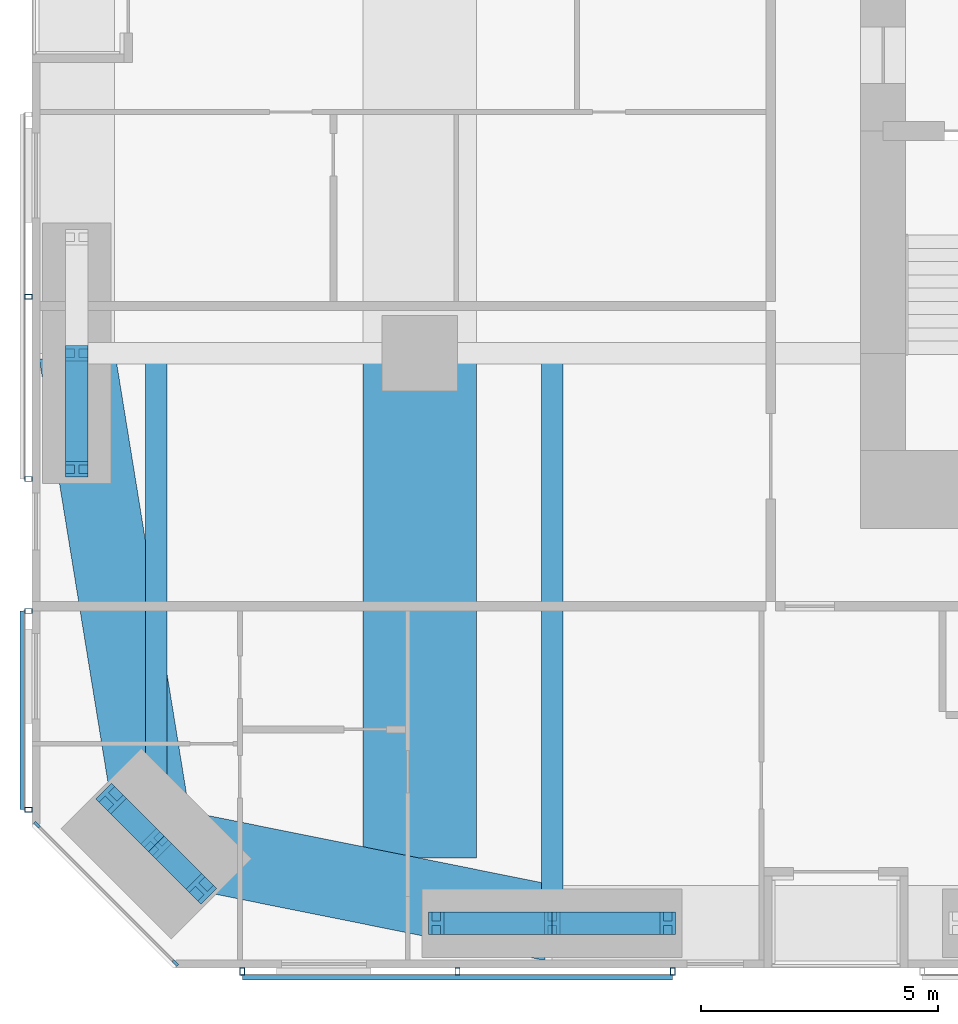
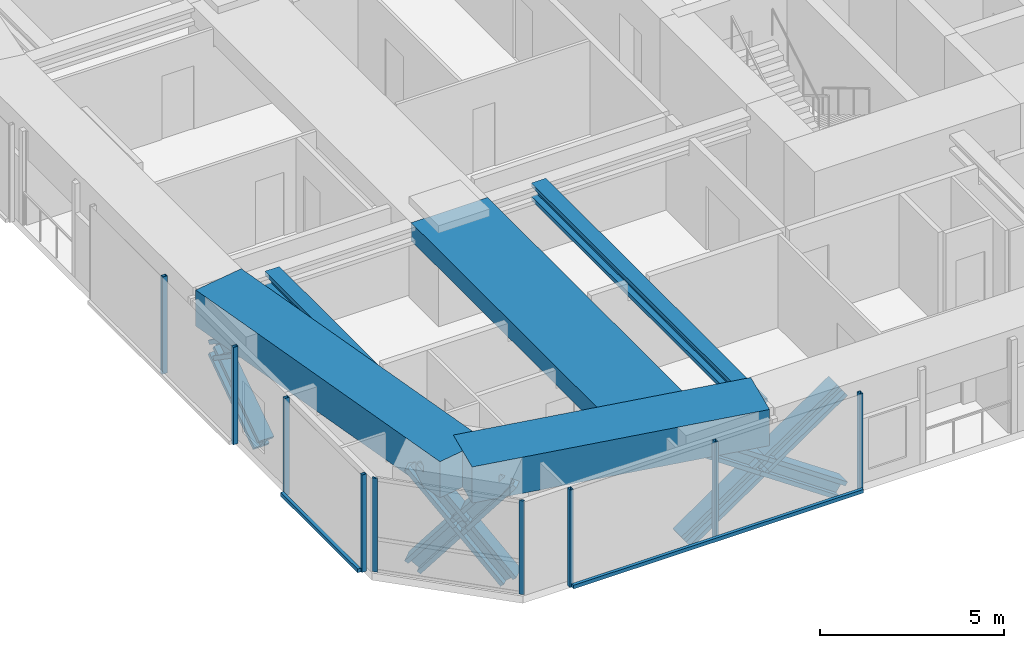
# One storey, part 2 of 22: 21 members, 5 beams, 4 elements without a shape of their own.
"""IFC4 building model written with IfcOpenShell, lengths in metres."""

from ifc_helpers import new_model, si_unit, direction, frame, origin, origin_2d, place, context, subcontext, project, spatial, rectangle, hollow_rectangle, i_section, extrude, material, material_profile, profile_set, type_object, element, aggregate, save


model = new_model("IFC4")

# Units and contexts
model_context = context("Model", 3, precision=1e-05, world=origin(), true_north=direction((0.0, 1.0)))
body_context = subcontext(model_context, "Body", "Model", "MODEL_VIEW")
ifc_project = project(units=[si_unit("LENGTHUNIT", "METRE"), si_unit("AREAUNIT", "SQUARE_METRE"), si_unit("VOLUMEUNIT", "CUBIC_METRE"), si_unit("PLANEANGLEUNIT", "RADIAN"), si_unit("MASSUNIT", "GRAM", prefix="KILO")], contexts=[model_context])

# Site, building, storey
site_placement = place(None, origin())
site = spatial("IfcSite", under=ifc_project, at=site_placement, CompositionType="ELEMENT")
building_placement = place(site_placement, origin())
building = spatial("IfcBuilding", under=site, at=building_placement, Name="Jalousie Tower", CompositionType="ELEMENT")
storey_placement = place(building_placement, frame((0.0, 0.0, 64.550048828125)))
storey = spatial("IfcBuildingStorey", under=building, at=storey_placement, Name="L17", CompositionType="ELEMENT", Elevation=64.550048828125)

# Curtain wall, members
ifc_material_1 = material(Name="Aluminium curtain wall", Category="aluminium")
curtain_wall_type_1 = type_object("IfcCurtainWallType", Name="CORNER WINDOW WALL", PredefinedType="USERDEFINED", material=ifc_material_1)
curtain_wall_1_placement = place(storey_placement, origin())
curtain_wall_1 = element("IfcCurtainWall", 1, at=curtain_wall_1_placement, inside=storey, type_object=curtain_wall_type_1, Name="Corner Window Wall L17 8", ObjectType="CORNER WINDOW WALL", PredefinedType="USERDEFINED")
ifc_material_2 = material(Name="Aluminium mullion", Category="aluminium")
ifc_material_profile_1 = material_profile(ifc_material_2, rectangle(XDim=0.06005859375, YDim=0.14990234375, at=origin_2d()), Name="MULLION 60x150")
ifc_profile_set_1 = profile_set([ifc_material_profile_1], Name="Aluminium mullion")
member_type_1 = type_object("IfcMemberType", Name="CORNER WINDOW WALL MULLION", PredefinedType="MULLION", material=ifc_profile_set_1)
member_1_placement = place(storey_placement, frame((2.108642578125, 3.030029296875, 0.0), z_axis=(0.0, 0.0, 1.0), x_axis=(0.707106781187, 0.707106781187, 0.0)))
member_1 = element("IfcMember", 2, at=member_1_placement, type_object=member_type_1, Name="CW-C mullion 1", PredefinedType="MULLION", context=body_context, shape_type="SweptSolid", body=[
    extrude(rectangle(XDim=0.06005859375, YDim=0.14990234375, at=origin_2d()), origin(), (0.0, 0.0, 1.0), 3.10986328125),
])
member_2_placement = place(storey_placement, frame((5.030029296875, 0.108642578125, 0.0), z_axis=(0.0, 0.0, 1.0), x_axis=(0.707106781187, 0.707106781187, 0.0)))
member_2 = element("IfcMember", 3, at=member_2_placement, type_object=member_type_1, Name="CW-C mullion 2", PredefinedType="MULLION", context=body_context, shape_type="SweptSolid", body=[
    extrude(rectangle(XDim=0.06005859375, YDim=0.14990234375, at=origin_2d()), origin(), (0.0, 0.0, 1.0), 3.10986328125),
])
aggregate(curtain_wall_1, [member_1, member_2])

# Beams
ifc_material_3 = material(Name="Steel ASTM A992 Grade 50", Category="steel")
ifc_material_profile_2 = material_profile(ifc_material_3, i_section(OverallWidth=0.45458984375, OverallDepth=0.569091796875, WebThickness=0.077880859375, FlangeThickness=0.124755859375, at=origin_2d()), Name="W14X730")
ifc_profile_set_2 = profile_set([ifc_material_profile_2], Name="Steel ASTM A992 Grade 50")
beam_type_1 = type_object("IfcBeamType", Name="LEAN COLLECTOR W14X730", PredefinedType="BEAM", material=ifc_profile_set_2)
beam_1_placement = place(storey_placement, frame((4.63134765625, 2.63134765625, 2.825439453125), z_axis=(0.0, 1.0, 0.0), x_axis=(-1.0, 0.0, 0.0)))
element("IfcBeam", 4, at=beam_1_placement, inside=storey, type_object=beam_type_1, Name="Lean collector under L18", PredefinedType="BEAM", context=body_context, shape_type="SweptSolid", body=[
    extrude(i_section(OverallWidth=0.45458984375, OverallDepth=0.569091796875, WebThickness=0.077880859375, FlangeThickness=0.124755859375, at=origin_2d()), origin(), (0.0, 0.0, 1.0), 10.36865234375),
])
beam_2_placement = place(storey_placement, frame((13.0, 0.949951171875, 2.825439453125), z_axis=(0.0, 1.0, 0.0), x_axis=(-1.0, 0.0, 0.0)))
element("IfcBeam", 5, at=beam_2_placement, inside=storey, type_object=beam_type_1, Name="Lean collector under L18", PredefinedType="BEAM", context=body_context, shape_type="SweptSolid", body=[
    extrude(i_section(OverallWidth=0.45458984375, OverallDepth=0.569091796875, WebThickness=0.077880859375, FlangeThickness=0.124755859375, at=origin_2d()), origin(), (0.0, 0.0, 1.0), 12.050048828125),
])

# Members
ifc_material_4 = material(Name="Steel ASTM A992 Grade 50", Category="steel")
ifc_material_profile_3 = material_profile(ifc_material_4, i_section(OverallWidth=0.472412109375, OverallDepth=0.5791015625, WebThickness=0.094970703125, FlangeThickness=0.1298828125, at=origin_2d()), Name="W14X808")
ifc_profile_set_3 = profile_set([ifc_material_profile_3], Name="Steel ASTM A992 Grade 50")
member_type_2 = type_object("IfcMemberType", Name="PERIMETER BRACE W14X808", PredefinedType="BRACE", material=ifc_profile_set_3)
for number, where, z_axis, x_axis, name in (
    (6, (3.6767578125, 3.5859375, -0.60009765625), (0.443718327034, -0.443718327034, 0.778606506849), (0.707106781187, 0.707106781187, 0.0), "Perimeter brace 01 L17 part 1"),
    (7, (4.63134765625, 2.63134765625, 1.074951171875), (0.443718327034, -0.443718327034, 0.778606506849), (0.707106781187, 0.707106781187, 0.0), "Perimeter brace 01 L17 part 2"),
    (8, (5.5859375, 1.6767578125, -0.60009765625), (-0.443718327034, 0.443718327034, 0.778606506849), (-0.707106781187, -0.707106781187, 0.0), "Perimeter brace 01 L17 part 3"),
    (9, (4.63134765625, 2.63134765625, 1.074951171875), (-0.443718327034, 0.443718327034, 0.778606506849), (-0.707106781187, -0.707106781187, 0.0), "Perimeter brace 01 L17 part 4"),
):
    element("IfcMember", number, at=place(storey_placement, frame(where, z_axis=z_axis, x_axis=x_axis)), inside=storey, type_object=member_type_2, Name=name, PredefinedType="BRACE", context=body_context, shape_type="SweptSolid", body=[
        extrude(i_section(OverallWidth=0.472412109375, OverallDepth=0.5791015625, WebThickness=0.094970703125, FlangeThickness=0.1298828125, at=origin_2d()), origin(), (0.0, 0.0, 1.0), 2.1513671875),
    ])
for number, where, z_axis, x_axis, name in (
    (10, (10.550048828125, 0.949951171875, -0.60009765625), (0.825500916831, 0.0, 0.564400776321), (0.0, 1.0, 0.0), "Perimeter brace 02 L17 part 1"),
    (11, (13.0, 0.949951171875, 1.074951171875), (0.825500916831, 0.0, 0.564400776321), (0.0, 1.0, 0.0), "Perimeter brace 02 L17 part 2"),
    (12, (15.449951171875, 0.949951171875, -0.60009765625), (-0.825500916831, 0.0, 0.564400776321), (0.0, -1.0, 0.0), "Perimeter brace 02 L17 part 3"),
    (13, (13.0, 0.949951171875, 1.074951171875), (-0.825500916831, 0.0, 0.564400776321), (0.0, -1.0, 0.0), "Perimeter brace 02 L17 part 4"),
    (14, (2.949951171875, 10.550048828125, -0.60009765625), (0.0, 0.825500916831, 0.564400776321), (-1.0, 0.0, 0.0), "Perimeter brace 14 L17 part 1"),
    (15, (2.949951171875, 13.0, 1.074951171875), (0.0, -0.825500916831, 0.564400776321), (1.0, 0.0, 0.0), "Perimeter brace 14 L17 part 4"),
):
    element("IfcMember", number, at=place(storey_placement, frame(where, z_axis=z_axis, x_axis=x_axis)), inside=storey, type_object=member_type_2, Name=name, PredefinedType="BRACE", context=body_context, shape_type="SweptSolid", body=[
        extrude(i_section(OverallWidth=0.472412109375, OverallDepth=0.5791015625, WebThickness=0.094970703125, FlangeThickness=0.1298828125, at=origin_2d()), origin(), (0.0, 0.0, 1.0), 2.9677734375),
    ])

# Beams
ifc_material_5 = material(Name="Concrete f'c 40 MPa", Category="concrete")
ifc_material_profile_4 = material_profile(ifc_material_5, rectangle(XDim=1.60009765625, YDim=1.199951171875, at=origin_2d()), Name="RC 1600x1200")
ifc_profile_set_4 = profile_set([ifc_material_profile_4], Name="Concrete f'c 40 MPa")
beam_type_2 = type_object("IfcBeamType", Name="RC BEAM 1600x1200", PredefinedType="BEAM", material=ifc_profile_set_4)
beam_3_placement = place(storey_placement, frame((4.63134765625, 2.63134765625, 2.75), z_axis=(0.980407585444, -0.196979609107, 0.0), x_axis=(0.196979609107, 0.980407585444, 0.0)))
element("IfcBeam", 16, at=beam_3_placement, inside=storey, type_object=beam_type_2, Name="Edge band beam 01-02 under L18", PredefinedType="BEAM", context=body_context, shape_type="SweptSolid", body=[
    extrude(rectangle(XDim=1.60009765625, YDim=1.199951171875, at=origin_2d()), origin(), (0.0, 0.0, 1.0), 8.535888671875),
])
beam_4_placement = place(storey_placement, frame((2.949951171875, 13.0, 2.75), z_axis=(0.160070546476, -0.987105577003, 0.0), x_axis=(0.987105577003, 0.160070546476, 0.0)))
element("IfcBeam", 17, at=beam_4_placement, inside=storey, type_object=beam_type_2, Name="Edge band beam 14-01 under L18", PredefinedType="BEAM", context=body_context, shape_type="SweptSolid", body=[
    extrude(rectangle(XDim=1.60009765625, YDim=1.199951171875, at=origin_2d()), origin(), (0.0, 0.0, 1.0), 10.504150390625),
])
ifc_material_6 = material(Name="Concrete f'c 40 MPa", Category="concrete")
ifc_material_profile_5 = material_profile(ifc_material_6, rectangle(XDim=2.39990234375, YDim=0.60009765625, at=origin_2d()), Name="RC 2400x600")
ifc_profile_set_5 = profile_set([ifc_material_profile_5], Name="Concrete f'c 40 MPa")
beam_type_3 = type_object("IfcBeamType", Name="RC BEAM 2400x600", PredefinedType="BEAM", material=ifc_profile_set_5)
beam_5_placement = place(storey_placement, frame((10.199951171875, 13.0, 2.81005859375), z_axis=(0.0, -1.0, 0.0), x_axis=(1.0, 0.0, 0.0)))
element("IfcBeam", 18, at=beam_5_placement, inside=storey, type_object=beam_type_3, Name="Floor band beam under L18", PredefinedType="BEAM", context=body_context, shape_type="SweptSolid", body=[
    extrude(rectangle(XDim=2.39990234375, YDim=0.60009765625, at=origin_2d()), origin(), (0.0, 0.0, 1.0), 10.67138671875),
])

# Curtain wall, members
ifc_material_7 = material(Name="Perforated aluminium sheet", Category="aluminium")
curtain_wall_type_2 = type_object("IfcCurtainWallType", Name="SOLAR SCREEN SS-1", PredefinedType="USERDEFINED", material=ifc_material_7)
curtain_wall_2_placement = place(storey_placement, origin())
curtain_wall_2 = element("IfcCurtainWall", 19, at=curtain_wall_2_placement, inside=storey, type_object=curtain_wall_type_2, Name="Solar screen L17", ObjectType="SOLAR SCREEN SS-1", PredefinedType="USERDEFINED")
ifc_material_8 = material(Name="Steel ASTM A500 Grade C", Category="steel")
ifc_material_profile_6 = material_profile(ifc_material_8, hollow_rectangle(XDim=0.1015625, YDim=0.15234375, WallThickness=0.00634765625, at=origin_2d()), Name="HSS6X4X1/4")
ifc_profile_set_6 = profile_set([ifc_material_profile_6], Name="Steel ASTM A500 Grade C")
member_type_3 = type_object("IfcMemberType", Name="SOLAR SCREEN SS-1 MULLION", PredefinedType="MULLION", material=ifc_profile_set_6)
member_3_placement = place(storey_placement, frame((6.449951171875, -0.0712890625, -0.1201171875), z_axis=(0.0, 0.0, 1.0), x_axis=(1.0, 0.0, 0.0)))
member_3 = element("IfcMember", 20, at=member_3_placement, type_object=member_type_3, Name="SS1 post 1", PredefinedType="MULLION", context=body_context, shape_type="SweptSolid", body=[
    extrude(hollow_rectangle(XDim=0.1015625, YDim=0.15234375, WallThickness=0.00634765625, at=origin_2d()), origin(), (0.0, 0.0, 1.0), 3.22998046875),
])
member_4_placement = place(storey_placement, frame((11.0, -0.0712890625, -0.1201171875), z_axis=(0.0, 0.0, 1.0), x_axis=(1.0, 0.0, 0.0)))
member_4 = element("IfcMember", 21, at=member_4_placement, type_object=member_type_3, Name="SS1 post 2", PredefinedType="MULLION", context=body_context, shape_type="SweptSolid", body=[
    extrude(hollow_rectangle(XDim=0.1015625, YDim=0.15234375, WallThickness=0.00634765625, at=origin_2d()), origin(), (0.0, 0.0, 1.0), 3.22998046875),
])
member_5_placement = place(storey_placement, frame((15.550048828125, -0.0712890625, -0.1201171875), z_axis=(0.0, 0.0, 1.0), x_axis=(1.0, 0.0, 0.0)))
member_5 = element("IfcMember", 22, at=member_5_placement, type_object=member_type_3, Name="SS1 post 3", PredefinedType="MULLION", context=body_context, shape_type="SweptSolid", body=[
    extrude(hollow_rectangle(XDim=0.1015625, YDim=0.15234375, WallThickness=0.00634765625, at=origin_2d()), origin(), (0.0, 0.0, 1.0), 3.22998046875),
])

curtain_wall_3_placement = place(storey_placement, origin())
curtain_wall_3 = element("IfcCurtainWall", 23, at=curtain_wall_3_placement, inside=storey, type_object=curtain_wall_type_2, Name="Solar screen L17", ObjectType="SOLAR SCREEN SS-1", PredefinedType="USERDEFINED")
member_6_placement = place(storey_placement, frame((1.9287109375, 14.197021484375, -0.1201171875), z_axis=(0.0, 0.0, 1.0), x_axis=(0.0, -1.0, 0.0)))
member_6 = element("IfcMember", 24, at=member_6_placement, type_object=member_type_3, Name="SS1 post 2", PredefinedType="MULLION", context=body_context, shape_type="SweptSolid", body=[
    extrude(hollow_rectangle(XDim=0.1015625, YDim=0.15234375, WallThickness=0.00634765625, at=origin_2d()), origin(), (0.0, 0.0, 1.0), 3.22998046875),
])
member_7_placement = place(storey_placement, frame((1.9287109375, 10.34375, -0.1201171875), z_axis=(0.0, 0.0, 1.0), x_axis=(0.0, -1.0, 0.0)))
member_7 = element("IfcMember", 25, at=member_7_placement, type_object=member_type_3, Name="SS1 post 3", PredefinedType="MULLION", context=body_context, shape_type="SweptSolid", body=[
    extrude(hollow_rectangle(XDim=0.1015625, YDim=0.15234375, WallThickness=0.00634765625, at=origin_2d()), origin(), (0.0, 0.0, 1.0), 3.22998046875),
])
aggregate(curtain_wall_3, [member_6, member_7])

curtain_wall_4_placement = place(storey_placement, origin())
curtain_wall_4 = element("IfcCurtainWall", 26, at=curtain_wall_4_placement, inside=storey, type_object=curtain_wall_type_2, Name="Solar screen L17", ObjectType="SOLAR SCREEN SS-1", PredefinedType="USERDEFINED")
member_8_placement = place(storey_placement, frame((1.9287109375, 7.550048828125, -0.1201171875), z_axis=(0.0, 0.0, 1.0), x_axis=(0.0, -1.0, 0.0)))
member_8 = element("IfcMember", 27, at=member_8_placement, type_object=member_type_3, Name="SS1 post 1", PredefinedType="MULLION", context=body_context, shape_type="SweptSolid", body=[
    extrude(hollow_rectangle(XDim=0.1015625, YDim=0.15234375, WallThickness=0.00634765625, at=origin_2d()), origin(), (0.0, 0.0, 1.0), 3.22998046875),
])
member_9_placement = place(storey_placement, frame((1.9287109375, 3.351318359375, -0.1201171875), z_axis=(0.0, 0.0, 1.0), x_axis=(0.0, -1.0, 0.0)))
member_9 = element("IfcMember", 28, at=member_9_placement, type_object=member_type_3, Name="SS1 post 2", PredefinedType="MULLION", context=body_context, shape_type="SweptSolid", body=[
    extrude(hollow_rectangle(XDim=0.1015625, YDim=0.15234375, WallThickness=0.00634765625, at=origin_2d()), origin(), (0.0, 0.0, 1.0), 3.22998046875),
])

# Member
ifc_material_9 = material(Name="Extruded aluminium screen rail", Category="aluminium")
ifc_material_profile_7 = material_profile(ifc_material_9, rectangle(XDim=0.1015625, YDim=0.1201171875, at=origin_2d()), Name="RAIL 102x120")
ifc_profile_set_7 = profile_set([ifc_material_profile_7], Name="Extruded aluminium screen rail")
member_type_4 = type_object("IfcMemberType", Name="SOLAR SCREEN SS-1 TRANSOM", PredefinedType="USERDEFINED", material=ifc_profile_set_7)
member_10_placement = place(storey_placement, frame((6.449951171875, -0.1982421875, -0.06005859375), z_axis=(1.0, 0.0, 0.0), x_axis=(0.0, 1.0, 0.0)))
member_10 = element("IfcMember", 29, at=member_10_placement, type_object=member_type_4, Name="SS1 rail", ObjectType="TRANSOM", PredefinedType="USERDEFINED", context=body_context, shape_type="SweptSolid", body=[
    extrude(rectangle(XDim=0.1015625, YDim=0.1201171875, at=origin_2d()), origin(), (0.0, 0.0, 1.0), 9.10009765625),
])

aggregate(curtain_wall_2, [member_3, member_4, member_5, member_10])

member_11_placement = place(storey_placement, frame((1.8017578125, 7.550048828125, -0.06005859375), z_axis=(0.0, -1.0, 0.0), x_axis=(1.0, 0.0, 0.0)))
member_11 = element("IfcMember", 30, at=member_11_placement, type_object=member_type_4, Name="SS1 rail", ObjectType="TRANSOM", PredefinedType="USERDEFINED", context=body_context, shape_type="SweptSolid", body=[
    extrude(rectangle(XDim=0.1015625, YDim=0.1201171875, at=origin_2d()), origin(), (0.0, 0.0, 1.0), 4.19873046875),
])

aggregate(curtain_wall_4, [member_8, member_9, member_11])

save(model, "model.ifc")
